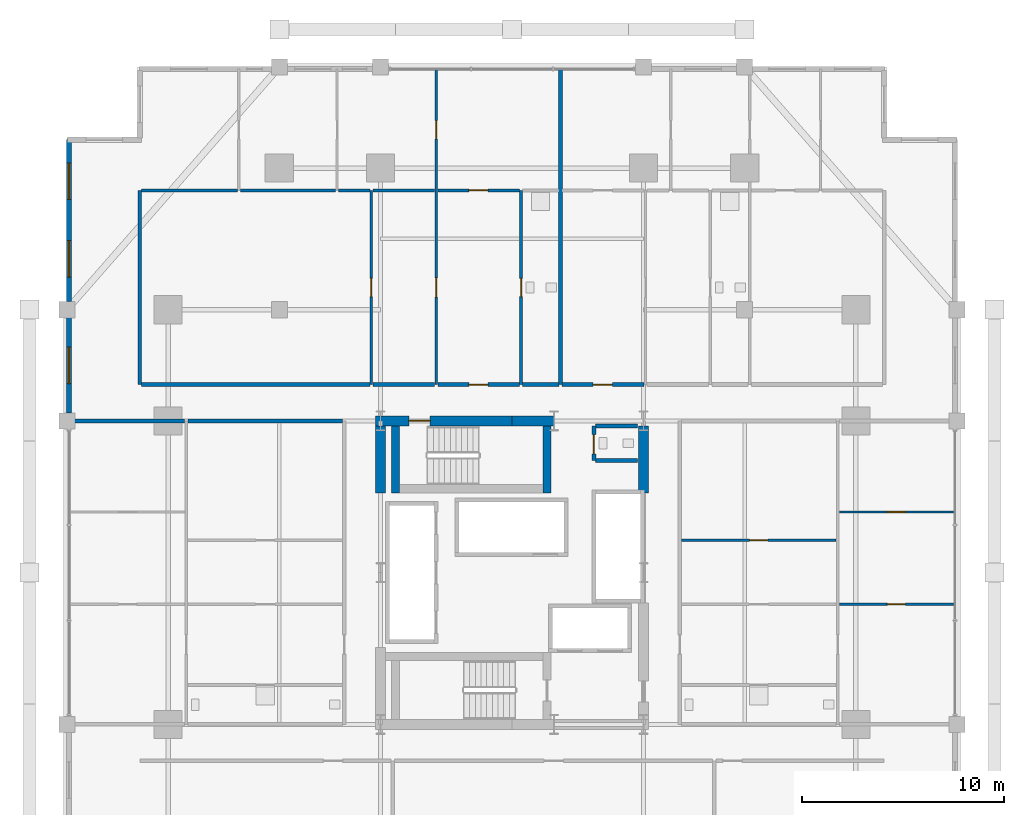
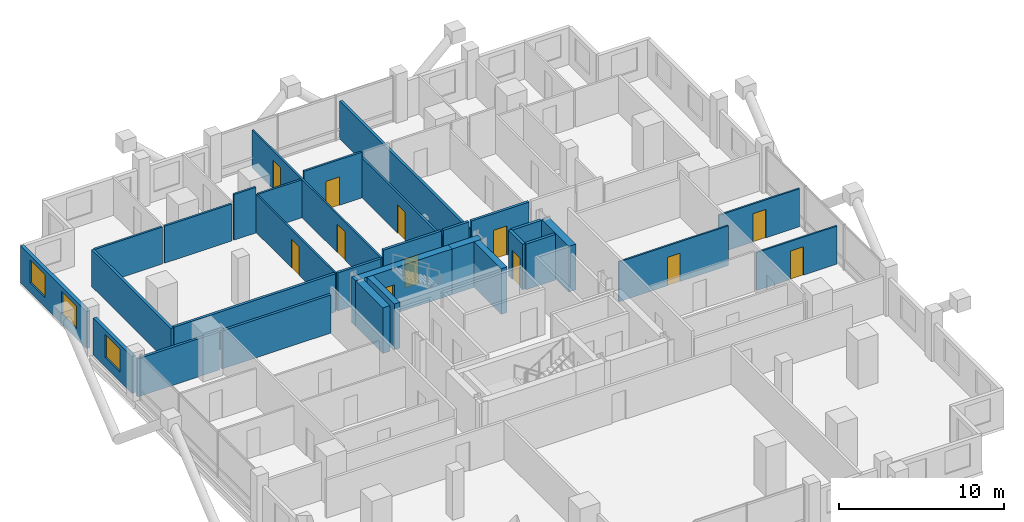
# One storey, part 19 of 23: 31 walls, 12 doors, 3 windows, 15 openings.
"""IFC4 building model written with IfcOpenShell, lengths in metres."""

from ifc_helpers import new_model, si_unit, direction, frame, frame_2d, origin, place, context, subcontext, project, spatial, rectangle, extrude, material, layer, layer_set, type_object, element, fill, save


model = new_model("IFC4")

# Units and contexts
model_context = context("Model", 3, precision=1e-05, world=origin(), true_north=direction((0.0, 1.0)))
body_context = subcontext(model_context, "Body", "Model", "MODEL_VIEW")
ifc_project = project(units=[si_unit("LENGTHUNIT", "METRE"), si_unit("AREAUNIT", "SQUARE_METRE"), si_unit("VOLUMEUNIT", "CUBIC_METRE"), si_unit("PLANEANGLEUNIT", "RADIAN"), si_unit("MASSUNIT", "GRAM", prefix="KILO")], contexts=[model_context])

# Site, building, storey
site_placement = place(None, origin())
site = spatial("IfcSite", under=ifc_project, at=site_placement, CompositionType="ELEMENT")
building_placement = place(site_placement, origin())
building = spatial("IfcBuilding", under=site, at=building_placement, Name="Barlavira Tower and Art Museum", CompositionType="ELEMENT")
storey_placement = place(building_placement, frame((0.0, 0.0, 57.60009765625)))
storey = spatial("IfcBuildingStorey", under=building, at=storey_placement, Name="L13", CompositionType="ELEMENT", Elevation=57.60009765625)

# Wall, opening, door
ifc_material_1 = material(Name="Gypsum acoustic stud partition", Category="gypsum")
ifc_layer_1 = layer(ifc_material_1, 0.1201171875, Name="Gypsum acoustic stud partition")
ifc_layer_set_1 = layer_set([ifc_layer_1], Name="Gypsum acoustic stud partition")
wall_type_1 = type_object("IfcWallType", Name="Apartment Internal Acoustic Partition 120", PredefinedType="PARTITIONING", material=ifc_layer_set_1)
wall_1_placement = place(storey_placement, frame((-6.949951171875, 9.300048828125, 0.0), z_axis=(0.0, 0.0, 1.0), x_axis=(0.0, 1.0, 0.0)))
wall_1 = element("IfcWall", 1, at=wall_1_placement, inside=storey, type_object=wall_type_1, Name="L13 Partition Wall 6", PredefinedType="PARTITIONING", context=body_context, shape_type="SweptSolid", body=[
    extrude(rectangle(XDim=9.599853515625, YDim=0.1201171875, at=frame_2d((4.7998046875, 0.0))), origin(), (0.0, 0.0, 1.0), 2.81591796875),
])
opening_1_placement = place(wall_1_placement, frame((4.35009765625, 0.0, 0.0)))
opening_1 = element("IfcOpeningElement", 2, at=opening_1_placement, cuts=wall_1, Name="Opening D-01", PredefinedType="OPENING", context=body_context, shape_type="SweptSolid", body=[
    extrude(rectangle(XDim=0.89990234375, YDim=2.10009765625, at=frame_2d((0.449951171875, 1.050048828125))), frame((0.0, 0.070068359375, 0.0), z_axis=(0.0, -1.0, 0.0), x_axis=(1.0, 0.0, 0.0)), (0.0, 0.0, 1.0), 0.14013671875),
])
ifc_material_2 = material(Name="Engineered coastal hardwood", Category="wood")
door_type_1 = type_object("IfcDoorType", Name="Internal Bedroom Timber Flush Door 900x2100", OperationType="NOTDEFINED", PredefinedType="DOOR", material=ifc_material_2)
door_1_placement = place(opening_1_placement, origin())
door_1 = element("IfcDoor", 3, at=door_1_placement, inside=storey, type_object=door_type_1, Name="Apartment N1 Walk-In Dressing Room Door", OperationType="SINGLE_SWING_RIGHT", OverallHeight=2.10009765625, OverallWidth=0.89990234375, PredefinedType="DOOR", context=body_context, shape_type="SweptSolid", body=[
    extrude(rectangle(XDim=0.89990234375, YDim=2.10009765625, at=frame_2d((0.449951171875, 1.050048828125))), frame((0.0, 0.02490234375, 0.0), z_axis=(0.0, -1.0, 0.0), x_axis=(1.0, 0.0, 0.0)), (0.0, 0.0, 1.0), 0.050048828125),
])
fill(opening_1, door_1)

# Wall, openings, doors
wall_2_placement = place(storey_placement, frame((-3.75, 9.300048828125, 0.0), z_axis=(0.0, 0.0, 1.0), x_axis=(0.0, 1.0, 0.0)))
wall_2 = element("IfcWall", 4, at=wall_2_placement, inside=storey, type_object=wall_type_1, Name="L13 Partition Wall 8", PredefinedType="PARTITIONING", context=body_context, shape_type="SweptSolid", body=[
    extrude(rectangle(XDim=15.599853515625, YDim=0.1201171875, at=frame_2d((7.7998046875, 0.0))), origin(), (0.0, 0.0, 1.0), 2.81591796875),
])
opening_2_placement = place(wall_2_placement, frame((4.324951171875, 0.0, 0.0)))
opening_2 = element("IfcOpeningElement", 5, at=opening_2_placement, cuts=wall_2, Name="Opening D-02", PredefinedType="OPENING", context=body_context, shape_type="SweptSolid", body=[
    extrude(rectangle(XDim=0.949951171875, YDim=2.10009765625, at=frame_2d((0.47509765625, 1.050048828125))), frame((0.0, 0.070068359375, 0.0), z_axis=(0.0, -1.0, 0.0), x_axis=(1.0, 0.0, 0.0)), (0.0, 0.0, 1.0), 0.14013671875),
])
opening_3_placement = place(wall_2_placement, frame((12.14990234375, 0.0, 0.0)))
opening_3 = element("IfcOpeningElement", 6, at=opening_3_placement, cuts=wall_2, Name="Opening D-01", PredefinedType="OPENING", context=body_context, shape_type="SweptSolid", body=[
    extrude(rectangle(XDim=0.89990234375, YDim=2.10009765625, at=frame_2d((0.449951171875, 1.050048828125))), frame((0.0, 0.070068359375, 0.0), z_axis=(0.0, -1.0, 0.0), x_axis=(1.0, 0.0, 0.0)), (0.0, 0.0, 1.0), 0.14013671875),
])
door_2_placement = place(opening_3_placement, origin())
door_2 = element("IfcDoor", 7, at=door_2_placement, inside=storey, type_object=door_type_1, Name="Apartment N1 Bedroom 1 Door", OperationType="SINGLE_SWING_RIGHT", OverallHeight=2.10009765625, OverallWidth=0.89990234375, PredefinedType="DOOR", context=body_context, shape_type="SweptSolid", body=[
    extrude(rectangle(XDim=0.89990234375, YDim=2.10009765625, at=frame_2d((0.449951171875, 1.050048828125))), frame((0.0, 0.02490234375, 0.0), z_axis=(0.0, -1.0, 0.0), x_axis=(1.0, 0.0, 0.0)), (0.0, 0.0, 1.0), 0.050048828125),
])
fill(opening_3, door_2)
door_type_2 = type_object("IfcDoorType", Name="Living and Salon Glazed-Leaf Door 950x2100", OperationType="NOTDEFINED", PredefinedType="DOOR", material=ifc_material_2)
door_3_placement = place(opening_2_placement, origin())
door_3 = element("IfcDoor", 8, at=door_3_placement, inside=storey, type_object=door_type_2, Name="Apartment N1 Kitchen Door", OperationType="SINGLE_SWING_LEFT", OverallHeight=2.10009765625, OverallWidth=0.949951171875, PredefinedType="DOOR", context=body_context, shape_type="SweptSolid", body=[
    extrude(rectangle(XDim=0.949951171875, YDim=2.10009765625, at=frame_2d((0.47509765625, 1.050048828125))), frame((0.0, 0.02490234375, 0.0), z_axis=(0.0, -1.0, 0.0), x_axis=(1.0, 0.0, 0.0)), (0.0, 0.0, 1.0), 0.050048828125),
])
fill(opening_2, door_3)

# Wall, opening, door
wall_3_placement = place(storey_placement, frame((16.179931640625, -1.550048828125, 0.0), z_axis=(0.0, 0.0, 1.0), x_axis=(1.0, 0.0, 0.0)))
wall_3 = element("IfcWall", 9, at=wall_3_placement, inside=storey, type_object=wall_type_1, Name="L13 Partition Wall 33", PredefinedType="PARTITIONING", context=body_context, shape_type="SweptSolid", body=[
    extrude(rectangle(XDim=5.64013671875, YDim=0.1201171875, at=frame_2d((2.820068359375, 0.0))), origin(), (0.0, 0.0, 1.0), 2.81591796875),
])
opening_4_placement = place(wall_3_placement, frame((2.3701171875, 0.0, 0.0)))
opening_4 = element("IfcOpeningElement", 10, at=opening_4_placement, cuts=wall_3, Name="Opening D-01", PredefinedType="OPENING", context=body_context, shape_type="SweptSolid", body=[
    extrude(rectangle(XDim=0.89990234375, YDim=2.10009765625, at=frame_2d((0.449951171875, 1.050048828125))), frame((0.0, 0.070068359375, 0.0), z_axis=(0.0, -1.0, 0.0), x_axis=(1.0, 0.0, 0.0)), (0.0, 0.0, 1.0), 0.14013671875),
])
door_4_placement = place(opening_4_placement, origin())
door_4 = element("IfcDoor", 11, at=door_4_placement, inside=storey, type_object=door_type_1, Name="Apartment E1 Bedroom 1 Door", OperationType="SINGLE_SWING_LEFT", OverallHeight=2.10009765625, OverallWidth=0.89990234375, PredefinedType="DOOR", context=body_context, shape_type="SweptSolid", body=[
    extrude(rectangle(XDim=0.89990234375, YDim=2.10009765625, at=frame_2d((0.449951171875, 1.050048828125))), frame((0.0, 0.02490234375, 0.0), z_axis=(0.0, -1.0, 0.0), x_axis=(1.0, 0.0, 0.0)), (0.0, 0.0, 1.0), 0.050048828125),
])
fill(opening_4, door_4)

wall_4_placement = place(storey_placement, frame((8.3798828125, 1.60009765625, 0.0), z_axis=(0.0, 0.0, 1.0), x_axis=(1.0, 0.0, 0.0)))
wall_4 = element("IfcWall", 12, at=wall_4_placement, inside=storey, type_object=wall_type_1, Name="L13 Partition Wall 35", PredefinedType="PARTITIONING", context=body_context, shape_type="SweptSolid", body=[
    extrude(rectangle(XDim=7.64013671875, YDim=0.1201171875, at=frame_2d((3.820068359375, 0.0))), origin(), (0.0, 0.0, 1.0), 2.947998046875),
])
opening_5_placement = place(wall_4_placement, frame((3.3701171875, 0.0, 0.0)))
opening_5 = element("IfcOpeningElement", 13, at=opening_5_placement, cuts=wall_4, Name="Opening D-01", PredefinedType="OPENING", context=body_context, shape_type="SweptSolid", body=[
    extrude(rectangle(XDim=0.89990234375, YDim=2.10009765625, at=frame_2d((0.449951171875, 1.050048828125))), frame((0.0, 0.070068359375, 0.0), z_axis=(0.0, -1.0, 0.0), x_axis=(1.0, 0.0, 0.0)), (0.0, 0.0, 1.0), 0.14013671875),
])
door_5_placement = place(opening_5_placement, origin())
door_5 = element("IfcDoor", 14, at=door_5_placement, inside=storey, type_object=door_type_1, Name="Apartment E1 Walk-In Dressing Room Door", OperationType="SINGLE_SWING_LEFT", OverallHeight=2.10009765625, OverallWidth=0.89990234375, PredefinedType="DOOR", context=body_context, shape_type="SweptSolid", body=[
    extrude(rectangle(XDim=0.89990234375, YDim=2.10009765625, at=frame_2d((0.449951171875, 1.050048828125))), frame((0.0, 0.02490234375, 0.0), z_axis=(0.0, -1.0, 0.0), x_axis=(1.0, 0.0, 0.0)), (0.0, 0.0, 1.0), 0.050048828125),
])
fill(opening_5, door_5)

wall_5_placement = place(storey_placement, frame((16.179931640625, 3.0, 0.0), z_axis=(0.0, 0.0, 1.0), x_axis=(1.0, 0.0, 0.0)))
wall_5 = element("IfcWall", 15, at=wall_5_placement, inside=storey, type_object=wall_type_1, Name="L13 Partition Wall 37", PredefinedType="PARTITIONING", context=body_context, shape_type="SweptSolid", body=[
    extrude(rectangle(XDim=5.64013671875, YDim=0.1201171875, at=frame_2d((2.820068359375, 0.0))), origin(), (0.0, 0.0, 1.0), 2.81591796875),
])
opening_6_placement = place(wall_5_placement, frame((2.3701171875, 0.0, 0.0)))
opening_6 = element("IfcOpeningElement", 16, at=opening_6_placement, cuts=wall_5, Name="Opening D-01", PredefinedType="OPENING", context=body_context, shape_type="SweptSolid", body=[
    extrude(rectangle(XDim=0.89990234375, YDim=2.10009765625, at=frame_2d((0.449951171875, 1.050048828125))), frame((0.0, 0.070068359375, 0.0), z_axis=(0.0, -1.0, 0.0), x_axis=(1.0, 0.0, 0.0)), (0.0, 0.0, 1.0), 0.14013671875),
])
door_6_placement = place(opening_6_placement, origin())
door_6 = element("IfcDoor", 17, at=door_6_placement, inside=storey, type_object=door_type_1, Name="Apartment E1 Bedroom 2 Door", OperationType="SINGLE_SWING_RIGHT", OverallHeight=2.10009765625, OverallWidth=0.89990234375, PredefinedType="DOOR", context=body_context, shape_type="SweptSolid", body=[
    extrude(rectangle(XDim=0.89990234375, YDim=2.10009765625, at=frame_2d((0.449951171875, 1.050048828125))), frame((0.0, 0.02490234375, 0.0), z_axis=(0.0, -1.0, 0.0), x_axis=(1.0, 0.0, 0.0)), (0.0, 0.0, 1.0), 0.050048828125),
])
fill(opening_6, door_6)

ifc_material_3 = material(Name="Concrete C60", Category="concrete")
ifc_layer_2 = layer(ifc_material_3, 0.5, Name="Concrete C60")
ifc_layer_set_2 = layer_set([ifc_layer_2], Name="Concrete C60")
wall_type_2 = type_object("IfcWallType", Name="Core Structural Shear Wall 500 Concrete C60", PredefinedType="SHEAR", material=ifc_layer_set_2)
wall_6_placement = place(storey_placement, frame((-6.75, 7.5, 0.0), z_axis=(0.0, 0.0, 1.0), x_axis=(1.0, 0.0, 0.0)))
wall_6 = element("IfcWall", 18, at=wall_6_placement, inside=storey, type_object=wall_type_2, Name="L13 Core Shear Wall CS-NW", PredefinedType="SHEAR", context=body_context, shape_type="SweptSolid", body=[
    extrude(rectangle(XDim=6.75, YDim=0.5, at=frame_2d((3.375, 0.0))), origin(), (0.0, 0.0, 1.0), 3.3798828125),
])
opening_7_placement = place(wall_6_placement, frame((1.64990234375, 0.0, 0.0)))
opening_7 = element("IfcOpeningElement", 19, at=opening_7_placement, cuts=wall_6, Name="Opening FD-90", PredefinedType="OPENING", context=body_context, shape_type="SweptSolid", body=[
    extrude(rectangle(XDim=1.050048828125, YDim=2.14990234375, at=frame_2d((0.52490234375, 1.074951171875))), frame((0.0, 0.260009765625, 0.0), z_axis=(0.0, -1.0, 0.0), x_axis=(1.0, 0.0, 0.0)), (0.0, 0.0, 1.0), 0.52001953125),
])
ifc_material_4 = material(Name="Brushed stainless steel", Category="steel")
door_type_3 = type_object("IfcDoorType", Name="Stair and Refuge Fire Door 1050x2150 FD90S", OperationType="NOTDEFINED", PredefinedType="DOOR", material=ifc_material_4)
door_7_placement = place(opening_7_placement, origin())
door_7 = element("IfcDoor", 20, at=door_7_placement, inside=storey, type_object=door_type_3, Name="L13 Stair ST-T2 Fire Door", OperationType="SINGLE_SWING_LEFT", OverallHeight=2.14990234375, OverallWidth=1.050048828125, PredefinedType="DOOR", context=body_context, shape_type="SweptSolid", body=[
    extrude(rectangle(XDim=1.050048828125, YDim=2.14990234375, at=frame_2d((0.52490234375, 1.074951171875))), frame((0.0, 0.02490234375, 0.0), z_axis=(0.0, -1.0, 0.0), x_axis=(1.0, 0.0, 0.0)), (0.0, 0.0, 1.0), 0.050048828125),
])
fill(opening_7, door_7)

# Walls
wall_7_placement = place(storey_placement, frame((0.0, 7.5, 0.0), z_axis=(0.0, 0.0, 1.0), x_axis=(1.0, 0.0, 0.0)))
element("IfcWall", 21, at=wall_7_placement, inside=storey, type_object=wall_type_2, Name="L13 Core Shear Wall CS-EN", PredefinedType="SHEAR", context=body_context, shape_type="SweptSolid", body=[
    extrude(rectangle(XDim=2.080078125, YDim=0.5, at=frame_2d((1.0400390625, 0.0))), origin(), (0.0, 0.0, 1.0), 3.3798828125),
])
for number, where, z_axis, x_axis, name in (
    (22, (-6.5, 3.949951171875, 0.0), (0.0, 0.0, 1.0), (0.0, 1.0, 0.0), "L13 Core Shear Wall CS-W2"),
    (23, (6.5, 3.949951171875, 0.0), (0.0, 0.0, 1.0), (0.0, 1.0, 0.0), "L13 Core Shear Wall CS-E2"),
):
    element("IfcWall", number, at=place(storey_placement, frame(where, z_axis=z_axis, x_axis=x_axis)), inside=storey, type_object=wall_type_2, Name=name, PredefinedType="SHEAR", context=body_context, shape_type="SweptSolid", body=[
        extrude(rectangle(XDim=3.300048828125, YDim=0.5, at=frame_2d((1.64990234375, 0.0))), origin(), (0.0, 0.0, 1.0), 3.3798828125),
    ])

# Wall, opening, door
ifc_material_5 = material(Name="Autoclaved aerated concrete masonry", Category="masonry")
ifc_layer_3 = layer(ifc_material_5, 0.199951171875, Name="Autoclaved aerated concrete masonry")
ifc_layer_set_3 = layer_set([ifc_layer_3], Name="Autoclaved aerated concrete masonry")
wall_type_3 = type_object("IfcWallType", Name="Fire Compartment and Shaft Wall 200", PredefinedType="SOLIDWALL", material=ifc_layer_set_3)
wall_8_placement = place(storey_placement, frame((4.050048828125, 5.550048828125, 0.0), z_axis=(0.0, 0.0, 1.0), x_axis=(0.0, 1.0, 0.0)))
wall_8 = element("IfcWall", 24, at=wall_8_placement, inside=storey, type_object=wall_type_3, Name="L13 Partition Wall 11", PredefinedType="SOLIDWALL", context=body_context, shape_type="SweptSolid", body=[
    extrude(rectangle(XDim=1.699951171875, YDim=0.199951171875, at=frame_2d((0.85009765625, 0.0))), origin(), (0.0, 0.0, 1.0), 3.3798828125),
])
opening_8_placement = place(wall_8_placement, frame((0.324951171875, 0.0, 0.0)))
opening_8 = element("IfcOpeningElement", 25, at=opening_8_placement, cuts=wall_8, Name="Opening FD-60", PredefinedType="OPENING", context=body_context, shape_type="SweptSolid", body=[
    extrude(rectangle(XDim=0.949951171875, YDim=2.14990234375, at=frame_2d((0.47509765625, 1.074951171875))), frame((0.0, 0.10986328125, 0.0), z_axis=(0.0, -1.0, 0.0), x_axis=(1.0, 0.0, 0.0)), (0.0, 0.0, 1.0), 0.219970703125),
])
door_type_4 = type_object("IfcDoorType", Name="Apartment Entrance and Riser Fire Door 950x2150 FD60S", OperationType="NOTDEFINED", PredefinedType="DOOR", material=ifc_material_4)
door_8_placement = place(opening_8_placement, origin())
door_8 = element("IfcDoor", 26, at=door_8_placement, inside=storey, type_object=door_type_4, Name="Core Accessible Washroom Door", OperationType="SINGLE_SWING_LEFT", OverallHeight=2.14990234375, OverallWidth=0.949951171875, PredefinedType="DOOR", context=body_context, shape_type="SweptSolid", body=[
    extrude(rectangle(XDim=0.949951171875, YDim=2.14990234375, at=frame_2d((0.47509765625, 1.074951171875))), frame((0.0, 0.02490234375, 0.0), z_axis=(0.0, -1.0, 0.0), x_axis=(1.0, 0.0, 0.0)), (0.0, 0.0, 1.0), 0.050048828125),
])
fill(opening_8, door_8)

# Walls
for number, where, z_axis, x_axis, name in (
    (27, (4.1298828125, 5.550048828125, 0.0), (0.0, 0.0, 1.0), (1.0, 0.0, 0.0), "L13 Partition Wall 38"),
    (28, (4.1298828125, 7.25, 0.0), (0.0, 0.0, 1.0), (1.0, 0.0, 0.0), "L13 Partition Wall 39"),
):
    element("IfcWall", number, at=place(storey_placement, frame(where, z_axis=z_axis, x_axis=x_axis)), inside=storey, type_object=wall_type_3, Name=name, PredefinedType="SOLIDWALL", context=body_context, shape_type="SweptSolid", body=[
        extrude(rectangle(XDim=2.070068359375, YDim=0.199951171875, at=frame_2d((1.03515625, 0.0))), origin(), (0.0, 0.0, 1.0), 3.3798828125),
    ])
ifc_layer_4 = layer(ifc_material_1, 0.179931640625, Name="Gypsum acoustic stud partition")
ifc_layer_set_4 = layer_set([ifc_layer_4], Name="Gypsum acoustic stud partition")
wall_type_4 = type_object("IfcWallType", Name="Inter-Tenancy Party Partition Wall 180", PredefinedType="PARTITIONING", material=ifc_layer_set_4)
wall_9_placement = place(storey_placement, frame((-18.39990234375, 9.300048828125, 0.0), z_axis=(0.0, 0.0, 1.0), x_axis=(0.0, 1.0, 0.0)))
element("IfcWall", 29, at=wall_9_placement, inside=storey, type_object=wall_type_4, Name="L13 Partition Wall 1", PredefinedType="PARTITIONING", context=body_context, shape_type="SweptSolid", body=[
    extrude(rectangle(XDim=9.599853515625, YDim=0.179931640625, at=frame_2d((4.7998046875, 0.0))), origin(), (0.0, 0.0, 1.0), 2.73583984375),
])
wall_10_placement = place(storey_placement, frame((2.39990234375, 9.300048828125, 0.0), z_axis=(0.0, 0.0, 1.0), x_axis=(0.0, 1.0, 0.0)))
element("IfcWall", 30, at=wall_10_placement, inside=storey, type_object=wall_type_4, Name="L13 Partition Wall 10", PredefinedType="PARTITIONING", context=body_context, shape_type="SweptSolid", body=[
    extrude(rectangle(XDim=15.599853515625, YDim=0.179931640625, at=frame_2d((7.7998046875, 0.0))), origin(), (0.0, 0.0, 1.0), 2.81591796875),
])
wall_11_placement = place(storey_placement, frame((-21.89990234375, 7.5, 0.0), z_axis=(0.0, 0.0, 1.0), x_axis=(1.0, 0.0, 0.0)))
element("IfcWall", 31, at=wall_11_placement, inside=storey, type_object=wall_type_4, Name="L13 Partition Wall 40", PredefinedType="PARTITIONING", context=body_context, shape_type="SweptSolid", body=[
    extrude(rectangle(XDim=5.719970703125, YDim=0.179931640625, at=frame_2d((2.85986328125, 0.0))), origin(), (0.0, 0.0, 1.0), 2.81591796875),
])
wall_12_placement = place(storey_placement, frame((-16.02001953125, 7.5, 0.0), z_axis=(0.0, 0.0, 1.0), x_axis=(1.0, 0.0, 0.0)))
element("IfcWall", 32, at=wall_12_placement, inside=storey, type_object=wall_type_4, Name="L13 Partition Wall 41", PredefinedType="PARTITIONING", context=body_context, shape_type="SweptSolid", body=[
    extrude(rectangle(XDim=7.64013671875, YDim=0.179931640625, at=frame_2d((3.820068359375, 0.0))), origin(), (0.0, 0.0, 1.0), 2.81591796875),
])
wall_13_placement = place(storey_placement, frame((-18.320068359375, 9.300048828125, 0.0), z_axis=(0.0, 0.0, 1.0), x_axis=(1.0, 0.0, 0.0)))
element("IfcWall", 33, at=wall_13_placement, inside=storey, type_object=wall_type_4, Name="L13 Partition Wall 44", PredefinedType="PARTITIONING", context=body_context, shape_type="SweptSolid", body=[
    extrude(rectangle(XDim=11.2900390625, YDim=0.179931640625, at=frame_2d((5.64501953125, 0.0))), origin(), (0.0, 0.0, 1.0), 2.81591796875),
])
wall_14_placement = place(storey_placement, frame((-6.8701171875, 9.300048828125, 0.0), z_axis=(0.0, 0.0, 1.0), x_axis=(1.0, 0.0, 0.0)))
element("IfcWall", 34, at=wall_14_placement, inside=storey, type_object=wall_type_4, Name="L13 Partition Wall 45", PredefinedType="PARTITIONING", context=body_context, shape_type="SweptSolid", body=[
    extrude(rectangle(XDim=3.0400390625, YDim=0.179931640625, at=frame_2d((1.52001953125, 0.0))), origin(), (0.0, 0.0, 1.0), 2.81591796875),
])

# Wall, opening, door
wall_15_placement = place(storey_placement, frame((-3.669921875, 9.300048828125, 0.0), z_axis=(0.0, 0.0, 1.0), x_axis=(1.0, 0.0, 0.0)))
wall_15 = element("IfcWall", 35, at=wall_15_placement, inside=storey, type_object=wall_type_4, Name="L13 Partition Wall 46", PredefinedType="PARTITIONING", context=body_context, shape_type="SweptSolid", body=[
    extrude(rectangle(XDim=4.0400390625, YDim=0.179931640625, at=frame_2d((2.02001953125, 0.0))), origin(), (0.0, 0.0, 1.0), 3.3798828125),
])
opening_9_placement = place(wall_15_placement, frame((1.534912109375, 0.0, 0.0)))
opening_9 = element("IfcOpeningElement", 36, at=opening_9_placement, cuts=wall_15, Name="Opening FD-60", PredefinedType="OPENING", context=body_context, shape_type="SweptSolid", body=[
    extrude(rectangle(XDim=0.949951171875, YDim=2.14990234375, at=frame_2d((0.47509765625, 1.074951171875))), frame((0.0, 0.10009765625, 0.0), z_axis=(0.0, -1.0, 0.0), x_axis=(1.0, 0.0, 0.0)), (0.0, 0.0, 1.0), 0.199951171875),
])
door_9_placement = place(opening_9_placement, origin())
door_9 = element("IfcDoor", 37, at=door_9_placement, inside=storey, type_object=door_type_4, Name="Apartment Entrance Hall N1 Door", OperationType="SINGLE_SWING_RIGHT", OverallHeight=2.14990234375, OverallWidth=0.949951171875, PredefinedType="DOOR", context=body_context, shape_type="SweptSolid", body=[
    extrude(rectangle(XDim=0.949951171875, YDim=2.14990234375, at=frame_2d((0.47509765625, 1.074951171875))), frame((0.0, 0.02490234375, 0.0), z_axis=(0.0, -1.0, 0.0), x_axis=(1.0, 0.0, 0.0)), (0.0, 0.0, 1.0), 0.050048828125),
])
fill(opening_9, door_9)

# Wall
wall_16_placement = place(storey_placement, frame((0.530029296875, 9.300048828125, 0.0), z_axis=(0.0, 0.0, 1.0), x_axis=(1.0, 0.0, 0.0)))
element("IfcWall", 38, at=wall_16_placement, inside=storey, type_object=wall_type_4, Name="L13 Partition Wall 47", PredefinedType="PARTITIONING", context=body_context, shape_type="SweptSolid", body=[
    extrude(rectangle(XDim=1.7900390625, YDim=0.179931640625, at=frame_2d((0.89501953125, 0.0))), origin(), (0.0, 0.0, 1.0), 3.3798828125),
])

# Wall, opening, door
wall_17_placement = place(storey_placement, frame((2.47998046875, 9.300048828125, 0.0), z_axis=(0.0, 0.0, 1.0), x_axis=(1.0, 0.0, 0.0)))
wall_17 = element("IfcWall", 39, at=wall_17_placement, inside=storey, type_object=wall_type_4, Name="L13 Partition Wall 48", PredefinedType="PARTITIONING", context=body_context, shape_type="SweptSolid", body=[
    extrude(rectangle(XDim=4.0400390625, YDim=0.179931640625, at=frame_2d((2.02001953125, 0.0))), origin(), (0.0, 0.0, 1.0), 3.3798828125),
])
opening_10_placement = place(wall_17_placement, frame((1.534912109375, 0.0, 0.0)))
opening_10 = element("IfcOpeningElement", 40, at=opening_10_placement, cuts=wall_17, Name="Opening FD-60", PredefinedType="OPENING", context=body_context, shape_type="SweptSolid", body=[
    extrude(rectangle(XDim=0.949951171875, YDim=2.14990234375, at=frame_2d((0.47509765625, 1.074951171875))), frame((0.0, 0.10009765625, 0.0), z_axis=(0.0, -1.0, 0.0), x_axis=(1.0, 0.0, 0.0)), (0.0, 0.0, 1.0), 0.199951171875),
])
door_10_placement = place(opening_10_placement, origin())
door_10 = element("IfcDoor", 41, at=door_10_placement, inside=storey, type_object=door_type_4, Name="Apartment Entrance Hall N2 Door", OperationType="SINGLE_SWING_LEFT", OverallHeight=2.14990234375, OverallWidth=0.949951171875, PredefinedType="DOOR", context=body_context, shape_type="SweptSolid", body=[
    extrude(rectangle(XDim=0.949951171875, YDim=2.14990234375, at=frame_2d((0.47509765625, 1.074951171875))), frame((0.0, 0.02490234375, 0.0), z_axis=(0.0, -1.0, 0.0), x_axis=(1.0, 0.0, 0.0)), (0.0, 0.0, 1.0), 0.050048828125),
])
fill(opening_10, door_10)

ifc_layer_5 = layer(ifc_material_1, 0.139892578125, Name="Gypsum acoustic stud partition")
ifc_layer_set_5 = layer_set([ifc_layer_5], Name="Gypsum acoustic stud partition")
wall_type_5 = type_object("IfcWallType", Name="Moisture-Resistant Bathroom Partition 140", PredefinedType="PARTITIONING", material=ifc_layer_set_5)
wall_18_placement = place(storey_placement, frame((0.449951171875, 9.300048828125, 0.0), z_axis=(0.0, 0.0, 1.0), x_axis=(0.0, 1.0, 0.0)))
wall_18 = element("IfcWall", 42, at=wall_18_placement, inside=storey, type_object=wall_type_5, Name="L13 Partition Wall 9", PredefinedType="PARTITIONING", context=body_context, shape_type="SweptSolid", body=[
    extrude(rectangle(XDim=9.599853515625, YDim=0.139892578125, at=frame_2d((4.7998046875, 0.0))), origin(), (0.0, 0.0, 1.0), 2.947998046875),
])
opening_11_placement = place(wall_18_placement, frame((4.35009765625, 0.0, 0.0)))
opening_11 = element("IfcOpeningElement", 43, at=opening_11_placement, cuts=wall_18, Name="Opening D-WC", PredefinedType="OPENING", context=body_context, shape_type="SweptSolid", body=[
    extrude(rectangle(XDim=0.89990234375, YDim=2.10009765625, at=frame_2d((0.449951171875, 1.050048828125))), frame((0.0, 0.080078125, 0.0), z_axis=(0.0, -1.0, 0.0), x_axis=(1.0, 0.0, 0.0)), (0.0, 0.0, 1.0), 0.159912109375),
])
door_type_5 = type_object("IfcDoorType", Name="Accessible Bathroom Flush Door 900x2100", OperationType="NOTDEFINED", PredefinedType="DOOR", material=ifc_material_2)
door_11_placement = place(opening_11_placement, origin())
door_11 = element("IfcDoor", 44, at=door_11_placement, inside=storey, type_object=door_type_5, Name="Apartment N1 Hall Bathroom Door", OperationType="SINGLE_SWING_LEFT", OverallHeight=2.10009765625, OverallWidth=0.89990234375, PredefinedType="DOOR", context=body_context, shape_type="SweptSolid", body=[
    extrude(rectangle(XDim=0.89990234375, YDim=2.10009765625, at=frame_2d((0.449951171875, 1.050048828125))), frame((0.0, 0.02490234375, 0.0), z_axis=(0.0, -1.0, 0.0), x_axis=(1.0, 0.0, 0.0)), (0.0, 0.0, 1.0), 0.050048828125),
])
fill(opening_11, door_11)

# Walls
wall_19_placement = place(storey_placement, frame((-18.320068359375, 18.89990234375, 0.0), z_axis=(0.0, 0.0, 1.0), x_axis=(1.0, 0.0, 0.0)))
element("IfcWall", 45, at=wall_19_placement, inside=storey, type_object=wall_type_5, Name="L13 Partition Wall 52", PredefinedType="PARTITIONING", context=body_context, shape_type="SweptSolid", body=[
    extrude(rectangle(XDim=4.739990234375, YDim=0.139892578125, at=frame_2d((2.3701171875, 0.0))), origin(), (0.0, 0.0, 1.0), 2.73583984375),
])
wall_20_placement = place(storey_placement, frame((-13.419921875, 18.89990234375, 0.0), z_axis=(0.0, 0.0, 1.0), x_axis=(1.0, 0.0, 0.0)))
element("IfcWall", 46, at=wall_20_placement, inside=storey, type_object=wall_type_5, Name="L13 Partition Wall 53", PredefinedType="PARTITIONING", context=body_context, shape_type="SweptSolid", body=[
    extrude(rectangle(XDim=4.68994140625, YDim=0.139892578125, at=frame_2d((2.344970703125, 0.0))), origin(), (0.0, 0.0, 1.0), 2.73583984375),
])
wall_21_placement = place(storey_placement, frame((-8.570068359375, 18.89990234375, 0.0), z_axis=(0.0, 0.0, 1.0), x_axis=(1.0, 0.0, 0.0)))
element("IfcWall", 47, at=wall_21_placement, inside=storey, type_object=wall_type_5, Name="L13 Partition Wall 54", PredefinedType="PARTITIONING", context=body_context, shape_type="SweptSolid", body=[
    extrude(rectangle(XDim=1.5400390625, YDim=0.139892578125, at=frame_2d((0.77001953125, 0.0))), origin(), (0.0, 0.0, 1.0), 3.3798828125),
])
wall_22_placement = place(storey_placement, frame((-6.8701171875, 18.89990234375, 0.0), z_axis=(0.0, 0.0, 1.0), x_axis=(1.0, 0.0, 0.0)))
element("IfcWall", 48, at=wall_22_placement, inside=storey, type_object=wall_type_5, Name="L13 Partition Wall 55", PredefinedType="PARTITIONING", context=body_context, shape_type="SweptSolid", body=[
    extrude(rectangle(XDim=3.0400390625, YDim=0.139892578125, at=frame_2d((1.52001953125, 0.0))), origin(), (0.0, 0.0, 1.0), 2.81591796875),
])

# Wall, opening, door
wall_23_placement = place(storey_placement, frame((-3.669921875, 18.89990234375, 0.0), z_axis=(0.0, 0.0, 1.0), x_axis=(1.0, 0.0, 0.0)))
wall_23 = element("IfcWall", 49, at=wall_23_placement, inside=storey, type_object=wall_type_5, Name="L13 Partition Wall 56", PredefinedType="PARTITIONING", context=body_context, shape_type="SweptSolid", body=[
    extrude(rectangle(XDim=4.0400390625, YDim=0.139892578125, at=frame_2d((2.02001953125, 0.0))), origin(), (0.0, 0.0, 1.0), 3.3798828125),
])
opening_12_placement = place(wall_23_placement, frame((1.534912109375, 0.0, 0.0)))
opening_12 = element("IfcOpeningElement", 50, at=opening_12_placement, cuts=wall_23, Name="Opening D-02", PredefinedType="OPENING", context=body_context, shape_type="SweptSolid", body=[
    extrude(rectangle(XDim=0.949951171875, YDim=2.10009765625, at=frame_2d((0.47509765625, 1.050048828125))), frame((0.0, 0.080078125, 0.0), z_axis=(0.0, -1.0, 0.0), x_axis=(1.0, 0.0, 0.0)), (0.0, 0.0, 1.0), 0.159912109375),
])
door_12_placement = place(opening_12_placement, origin())
door_12 = element("IfcDoor", 51, at=door_12_placement, inside=storey, type_object=door_type_2, Name="Apartment N1 Living Lounge Door", OperationType="SINGLE_SWING_LEFT", OverallHeight=2.10009765625, OverallWidth=0.949951171875, PredefinedType="DOOR", context=body_context, shape_type="SweptSolid", body=[
    extrude(rectangle(XDim=0.949951171875, YDim=2.10009765625, at=frame_2d((0.47509765625, 1.050048828125))), frame((0.0, 0.02490234375, 0.0), z_axis=(0.0, -1.0, 0.0), x_axis=(1.0, 0.0, 0.0)), (0.0, 0.0, 1.0), 0.050048828125),
])
fill(opening_12, door_12)

# Wall, openings, windows
ifc_material_6 = material(Name="Precast concrete C40", Category="concrete")
ifc_layer_6 = layer(ifc_material_6, 0.25, Name="Precast concrete C40")
ifc_layer_set_6 = layer_set([ifc_layer_6], Name="Precast concrete C40")
wall_type_6 = type_object("IfcWallType", Name="Notched Corner Spandrel Wall 250 Precast Concrete C40", PredefinedType="SOLIDWALL", material=ifc_layer_set_6)
wall_24_placement = place(storey_placement, frame((-21.89990234375, 21.425048828125, 0.0), z_axis=(0.0, 0.0, 1.0), x_axis=(0.0, -1.0, 0.0)))
wall_24 = element("IfcWall", 52, at=wall_24_placement, inside=storey, type_object=wall_type_6, Name="L13 Coastal Facade Pier Wall CW1-L13-W-1", PredefinedType="SOLIDWALL", context=body_context, shape_type="SweptSolid", body=[
    extrude(rectangle(XDim=8.030029296875, YDim=0.25, at=frame_2d((4.01513671875, 0.0))), origin(), (0.0, 0.0, 1.0), 2.73583984375),
])
opening_13_placement = place(wall_24_placement, frame((1.176025390625, 0.0, 0.719970703125)))
opening_13 = element("IfcOpeningElement", 53, at=opening_13_placement, cuts=wall_24, Name="Opening WN-01", PredefinedType="OPENING", context=body_context, shape_type="SweptSolid", body=[
    extrude(rectangle(XDim=1.800048828125, YDim=1.679931640625, at=frame_2d((0.89990234375, 0.83984375))), frame((0.0, 0.135009765625, 0.0), z_axis=(0.0, -1.0, 0.0), x_axis=(1.0, 0.0, 0.0)), (0.0, 0.0, 1.0), 0.27001953125),
])
opening_14_placement = place(wall_24_placement, frame((5.009033203125, 0.0, 0.719970703125)))
opening_14 = element("IfcOpeningElement", 54, at=opening_14_placement, cuts=wall_24, Name="Opening WN-01", PredefinedType="OPENING", context=body_context, shape_type="SweptSolid", body=[
    extrude(rectangle(XDim=1.800048828125, YDim=1.679931640625, at=frame_2d((0.89990234375, 0.83984375))), frame((0.0, 0.135009765625, 0.0), z_axis=(0.0, -1.0, 0.0), x_axis=(1.0, 0.0, 0.0)), (0.0, 0.0, 1.0), 0.27001953125),
])
ifc_material_7 = material(Name="Low-iron coastal laminated glass", Category="glass")
window_type = type_object("IfcWindowType", Name="Recessed Notch Corner Punch Window 1800x1680", PartitioningType="SINGLE_PANEL", PredefinedType="WINDOW", material=ifc_material_7)
window_1_placement = place(opening_13_placement, origin())
window_1 = element("IfcWindow", 55, at=window_1_placement, inside=storey, type_object=window_type, Name="L13 Punched Facade Window EWP-CW1-L13-W-1-1", OverallHeight=1.679931640625, OverallWidth=1.800048828125, PartitioningType="SINGLE_PANEL", PredefinedType="WINDOW", context=body_context, shape_type="SweptSolid", body=[
    extrude(rectangle(XDim=1.800048828125, YDim=1.679931640625, at=frame_2d((0.89990234375, 0.83984375))), frame((0.0, 0.030029296875, 0.0), z_axis=(0.0, -1.0, 0.0), x_axis=(1.0, 0.0, 0.0)), (0.0, 0.0, 1.0), 0.06005859375),
])
fill(opening_13, window_1)
window_2_placement = place(opening_14_placement, origin())
window_2 = element("IfcWindow", 56, at=window_2_placement, inside=storey, type_object=window_type, Name="L13 Punched Facade Window EWP-CW1-L13-W-1-2", OverallHeight=1.679931640625, OverallWidth=1.800048828125, PartitioningType="SINGLE_PANEL", PredefinedType="WINDOW", context=body_context, shape_type="SweptSolid", body=[
    extrude(rectangle(XDim=1.800048828125, YDim=1.679931640625, at=frame_2d((0.89990234375, 0.83984375))), frame((0.0, 0.030029296875, 0.0), z_axis=(0.0, -1.0, 0.0), x_axis=(1.0, 0.0, 0.0)), (0.0, 0.0, 1.0), 0.06005859375),
])
fill(opening_14, window_2)

# Wall, opening, window
wall_25_placement = place(storey_placement, frame((-21.89990234375, 12.60498046875, 0.0), z_axis=(0.0, 0.0, 1.0), x_axis=(0.0, -1.0, 0.0)))
wall_25 = element("IfcWall", 57, at=wall_25_placement, inside=storey, type_object=wall_type_6, Name="L13 Coastal Facade Pier Wall CW1-L13-W-2", PredefinedType="SOLIDWALL", context=body_context, shape_type="SweptSolid", body=[
    extrude(rectangle(XDim=4.7099609375, YDim=0.25, at=frame_2d((2.35498046875, 0.0))), origin(), (0.0, 0.0, 1.0), 2.73583984375),
])
opening_15_placement = place(wall_25_placement, frame((1.455078125, 0.0, 0.719970703125)))
opening_15 = element("IfcOpeningElement", 58, at=opening_15_placement, cuts=wall_25, Name="Opening WN-01", PredefinedType="OPENING", context=body_context, shape_type="SweptSolid", body=[
    extrude(rectangle(XDim=1.800048828125, YDim=1.679931640625, at=frame_2d((0.89990234375, 0.83984375))), frame((0.0, 0.135009765625, 0.0), z_axis=(0.0, -1.0, 0.0), x_axis=(1.0, 0.0, 0.0)), (0.0, 0.0, 1.0), 0.27001953125),
])
window_3_placement = place(opening_15_placement, origin())
window_3 = element("IfcWindow", 59, at=window_3_placement, inside=storey, type_object=window_type, Name="L13 Punched Facade Window EWP-CW1-L13-W-2-1", OverallHeight=1.679931640625, OverallWidth=1.800048828125, PartitioningType="SINGLE_PANEL", PredefinedType="WINDOW", context=body_context, shape_type="SweptSolid", body=[
    extrude(rectangle(XDim=1.800048828125, YDim=1.679931640625, at=frame_2d((0.89990234375, 0.83984375))), frame((0.0, 0.030029296875, 0.0), z_axis=(0.0, -1.0, 0.0), x_axis=(1.0, 0.0, 0.0)), (0.0, 0.0, 1.0), 0.06005859375),
])
fill(opening_15, window_3)

# Walls
ifc_material_8 = material(Name="Concrete C55", Category="concrete")
ifc_layer_7 = layer(ifc_material_8, 0.39990234375, Name="Concrete C55")
ifc_layer_set_7 = layer_set([ifc_layer_7], Name="Concrete C55")
wall_type_7 = type_object("IfcWallType", Name="Upper Core Shear Wall 400 Concrete C55", PredefinedType="SHEAR", material=ifc_layer_set_7)
for number, where, z_axis, x_axis, name in (
    (60, (1.72998046875, 3.949951171875, 0.0), (0.0, 0.0, 1.0), (0.0, 1.0, 0.0), "L13 ST-T2 East Half-Landing Wall"),
    (61, (-5.75, 3.949951171875, 0.0), (0.0, 0.0, 1.0), (0.0, 1.0, 0.0), "L13 ST-T2 West Shaft Wall"),
):
    element("IfcWall", number, at=place(storey_placement, frame(where, z_axis=z_axis, x_axis=x_axis)), inside=storey, type_object=wall_type_7, Name=name, PredefinedType="SHEAR", context=body_context, shape_type="SweptSolid", body=[
        extrude(rectangle(XDim=3.300048828125, YDim=0.39990234375, at=frame_2d((1.64990234375, 0.0))), origin(), (0.0, 0.0, 1.0), 3.3798828125),
    ])

save(model, "model.ifc")
